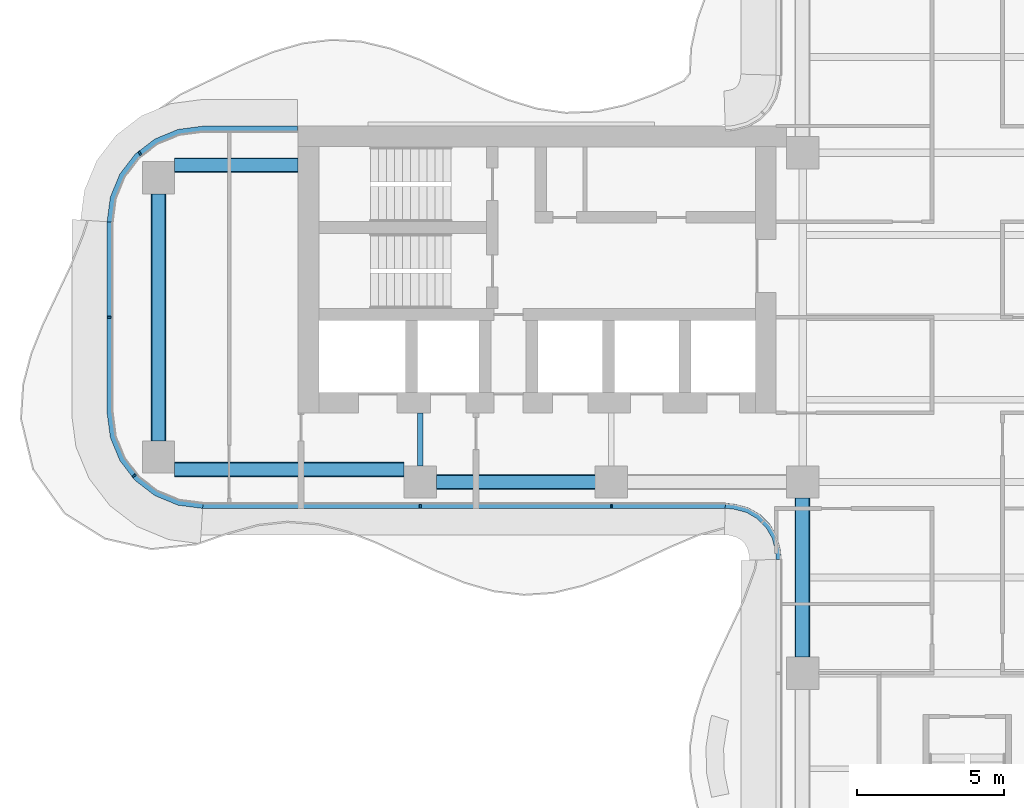
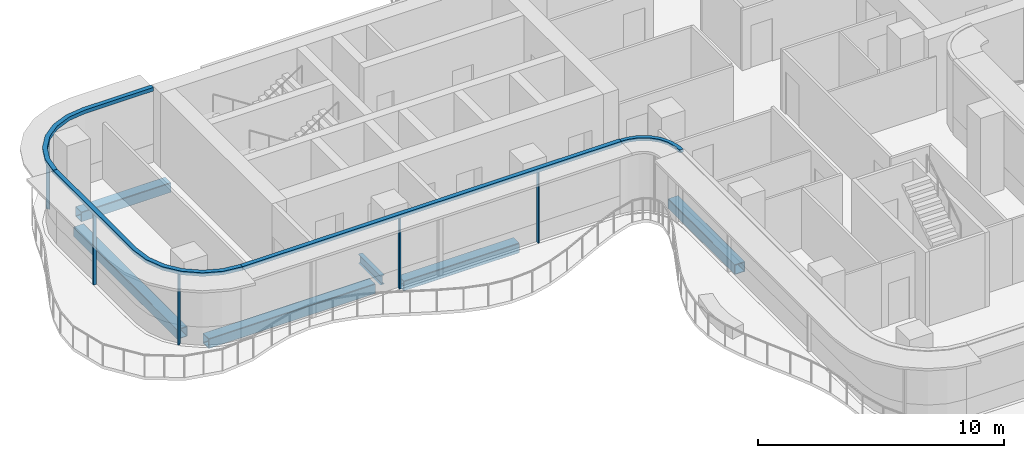
# One storey, part 3 of 17: 9 members, 6 beams, 4 elements without a shape of their own.
"""IFC4 building model written with IfcOpenShell, lengths in metres."""

from ifc_helpers import new_model, si_unit, direction, frame, origin, origin_2d, place, context, subcontext, project, spatial, polyline, rectangle, hollow_rectangle, i_section, outline, extrude, source, transform, mapped, material, layer, layer_set, material_profile, profile_set, type_object, element, aggregate, save


model = new_model("IFC4")

# Units and contexts
model_context = context("Model", 3, precision=1e-05, world=origin(), true_north=direction((0.0, 1.0)))
body_context = subcontext(model_context, "Body", "Model", "MODEL_VIEW")
ifc_project = project(units=[si_unit("LENGTHUNIT", "METRE"), si_unit("AREAUNIT", "SQUARE_METRE"), si_unit("VOLUMEUNIT", "CUBIC_METRE"), si_unit("PLANEANGLEUNIT", "RADIAN"), si_unit("MASSUNIT", "GRAM", prefix="KILO")], contexts=[model_context])

# Site, building, storey
site_placement = place(None, origin())
site = spatial("IfcSite", under=ifc_project, at=site_placement, CompositionType="ELEMENT")
building_placement = place(site_placement, origin())
building = spatial("IfcBuilding", under=site, at=building_placement, Name="Trellis Farm Tower", CompositionType="ELEMENT")
storey_placement = place(building_placement, frame((0.0, 0.0, 220.699951171875)))
storey = spatial("IfcBuildingStorey", under=building, at=storey_placement, Name="L48", CompositionType="ELEMENT", Elevation=220.699951171875)

# Beams
ifc_material_1 = material(Name="Steel S355", Category="steel")
ifc_material_profile_1 = material_profile(ifc_material_1, hollow_rectangle(XDim=0.5, YDim=0.5, WallThickness=0.030029296875, InnerFilletRadius=0.030029296875, OuterFilletRadius=0.044921875, at=origin_2d()), Name="SHS 500x500x30")
ifc_profile_set_1 = profile_set([ifc_material_profile_1], Name="Steel S355")
beam_type_1 = type_object("IfcBeamType", Name="SHS 500x500x30", PredefinedType="BEAM", material=ifc_profile_set_1)
shared_shape_1 = source(origin(), body_context, "Body", "SweptSolid", [
    extrude(hollow_rectangle(XDim=0.5, YDim=0.5, WallThickness=0.030029296875, InnerFilletRadius=0.030029296875, OuterFilletRadius=0.044921875, at=origin_2d()), origin(), (0.0, 0.0, 1.0), 5.400146484375),
])
for number, where, z_axis, x_axis, name in (
    (1, (-18.050048828125, -5.60009765625, -0.449951171875), (1.0, 0.0, 0.0), (0.0, 1.0, 0.0), "Girder"),
    (2, (-5.60009765625, -11.550048828125, -0.449951171875), (0.0, 1.0, 0.0), (-1.0, 0.0, 0.0), "Girder"),
):
    element("IfcBeam", number, at=place(storey_placement, frame(where, z_axis=z_axis, x_axis=x_axis)), inside=storey, type_object=beam_type_1, Name=name, PredefinedType="BEAM", context=body_context, shape_type="MappedRepresentation", body=[
        mapped(shared_shape_1, transform((0.0, 0.0, 0.0))),
    ])
shared_shape_2 = source(origin(), body_context, "Body", "SweptSolid", [
    extrude(hollow_rectangle(XDim=0.5, YDim=0.5, WallThickness=0.030029296875, InnerFilletRadius=0.030029296875, OuterFilletRadius=0.044921875, at=origin_2d()), origin(), (0.0, 0.0, 1.0), 8.39990234375),
])
beam_1_placement = place(storey_placement, frame((-27.5, -4.199951171875, -0.449951171875), z_axis=(0.0, 1.0, 0.0), x_axis=(-1.0, 0.0, 0.0)))
element("IfcBeam", 3, at=beam_1_placement, inside=storey, type_object=beam_type_1, Name="Girder", PredefinedType="BEAM", context=body_context, shape_type="MappedRepresentation", body=[
    mapped(shared_shape_2, transform((0.0, 0.0, 0.0))),
])
ifc_material_profile_2 = material_profile(ifc_material_1, i_section(OverallWidth=0.1904296875, OverallDepth=0.45703125, WebThickness=0.009033203125, FlangeThickness=0.014404296875, FilletRadius=0.01025390625, at=origin_2d()), Name="UB 457x191x74")
ifc_profile_set_2 = profile_set([ifc_material_profile_2], Name="Steel S355")
beam_type_2 = type_object("IfcBeamType", Name="UB 457x191x74", PredefinedType="BEAM", material=ifc_profile_set_2)
shared_shape_3 = source(origin(), body_context, "Body", "SweptSolid", [
    extrude(i_section(OverallWidth=0.1904296875, OverallDepth=0.45703125, WebThickness=0.009033203125, FlangeThickness=0.014404296875, FilletRadius=0.01025390625, at=origin_2d()), origin(), (0.0, 0.0, 1.0), 1.800048828125),
])
beam_2_placement = place(storey_placement, frame((-18.60009765625, -5.050048828125, -0.428466796875), z_axis=(0.0, 1.0, 0.0), x_axis=(-1.0, 0.0, 0.0)))
element("IfcBeam", 4, at=beam_2_placement, inside=storey, type_object=beam_type_2, Name="Girder", PredefinedType="BEAM", context=body_context, shape_type="MappedRepresentation", body=[
    mapped(shared_shape_3, transform((0.0, 0.0, 0.0))),
])
shared_shape_4 = source(origin(), body_context, "Body", "SweptSolid", [
    extrude(hollow_rectangle(XDim=0.5, YDim=0.5, WallThickness=0.030029296875, InnerFilletRadius=0.030029296875, OuterFilletRadius=0.044921875, at=origin_2d()), origin(), (0.0, 0.0, 1.0), 7.800048828125),
])
beam_3_placement = place(storey_placement, frame((-26.949951171875, -5.175048828125, -0.449951171875), z_axis=(1.0, 0.0, 0.0), x_axis=(0.0, 1.0, 0.0)))
element("IfcBeam", 5, at=beam_3_placement, inside=storey, type_object=beam_type_1, Name="Girder", PredefinedType="BEAM", context=body_context, shape_type="MappedRepresentation", body=[
    mapped(shared_shape_4, transform((0.0, 0.0, 0.0))),
])
shared_shape_5 = source(origin(), body_context, "Body", "SweptSolid", [
    extrude(hollow_rectangle(XDim=0.5, YDim=0.5, WallThickness=0.030029296875, InnerFilletRadius=0.030029296875, OuterFilletRadius=0.044921875, at=origin_2d()), origin(), (0.0, 0.0, 1.0), 4.199951171875),
])
beam_4_placement = place(storey_placement, frame((-26.949951171875, 5.175048828125, -0.449951171875), z_axis=(1.0, 0.0, 0.0), x_axis=(0.0, 1.0, 0.0)))
element("IfcBeam", 6, at=beam_4_placement, inside=storey, type_object=beam_type_1, Name="Girder", PredefinedType="BEAM", context=body_context, shape_type="MappedRepresentation", body=[
    mapped(shared_shape_5, transform((0.0, 0.0, 0.0))),
])

# Curtain wall, member
ifc_material_2 = material(Name="Aluminium and glass curtain wall", Category="aluminium")
ifc_layer_1 = layer(ifc_material_2, 0.166015625)
ifc_layer_set_1 = layer_set([ifc_layer_1], Name="WINTER GARDEN CURTAIN WALL CW3")
curtain_wall_type_1 = type_object("IfcCurtainWallType", Name="WINTER GARDEN CURTAIN WALL CW3", PredefinedType="NOTDEFINED", material=ifc_layer_set_1)
placement_1 = place(storey_placement, origin())
curtain_wall_1 = element("IfcCurtainWall", 7, at=placement_1, inside=storey, type_object=curtain_wall_type_1, Name="CW3 001", PredefinedType="NOTDEFINED")
ifc_material_3 = material(Name="Aluminium extrusion 6063-T6", Category="aluminium")
ifc_layer_2 = layer(ifc_material_3, 0.169921875)
ifc_layer_set_2 = layer_set([ifc_layer_2], Name="Aluminium extrusion 6063-T6")
member_type_1 = type_object("IfcMemberType", Name="CW3 TRANSOM 170x150", PredefinedType="USERDEFINED", material=ifc_layer_set_2)
shared_shape_6 = source(origin(), body_context, "Body", "SweptSolid", [
    extrude(outline(polyline([(-8.2314453125, -6.5), (-8.01953125, -6.513916015625), (-7.91552734375, -6.527587890625), (-7.508544921875, -6.63671875), (-7.144287109375, -6.846923828125), (-6.846923828125, -7.144287109375), (-6.63671875, -7.508544921875), (-6.527587890625, -7.91552734375), (-6.513916015625, -8.01953125), (-6.5, -8.2314453125), (-6.330078125, -8.225830078125), (-6.3447265625, -8.0029296875), (-6.360595703125, -7.88232421875), (-6.478271484375, -7.44287109375), (-6.7109375, -7.0400390625), (-7.0400390625, -6.7109375), (-7.44287109375, -6.478271484375), (-7.88232421875, -6.360595703125), (-8.0029296875, -6.3447265625), (-8.225830078125, -6.330078125), (-8.2314453125, -6.5)])), origin(), (0.0, 0.0, 1.0), 0.14990234375),
])
member_1_placement = place(storey_placement, frame((0.0, 0.0, 3.550048828125)))
member_1 = element("IfcMember", 8, at=member_1_placement, type_object=member_type_1, Name="TR3 001", ObjectType="TRANSOM", PredefinedType="USERDEFINED", context=body_context, shape_type="MappedRepresentation", body=[
    mapped(shared_shape_6, transform((0.0, 0.0, 0.0))),
])
aggregate(curtain_wall_1, [member_1])

# Curtain wall, members
ifc_layer_3 = layer(ifc_material_2, 0.18994140625)
ifc_layer_set_3 = layer_set([ifc_layer_3], Name="RIBBON CURTAIN WALL CW1")
curtain_wall_type_2 = type_object("IfcCurtainWallType", Name="RIBBON CURTAIN WALL CW1", PredefinedType="NOTDEFINED", material=ifc_layer_set_3)
curtain_wall_2 = element("IfcCurtainWall", 9, at=placement_1, inside=storey, type_object=curtain_wall_type_2, Name="CW1 001", PredefinedType="NOTDEFINED")
ifc_material_profile_3 = material_profile(ifc_material_3, rectangle(XDim=0.06005859375, YDim=0.14990234375, at=origin_2d()), Name="MULLION 60x150")
ifc_profile_set_3 = profile_set([ifc_material_profile_3], Name="Aluminium extrusion 6063-T6")
member_type_2 = type_object("IfcMemberType", Name="CW1 MULLION 60x150", PredefinedType="MULLION", material=ifc_profile_set_3)
shared_shape_7 = source(origin(), body_context, "Body", "SweptSolid", [
    extrude(rectangle(XDim=0.06005859375, YDim=0.14990234375, at=origin_2d()), origin(), (0.0, 0.0, 1.0), 3.52001953125),
])
member_2_placement = place(storey_placement, frame((-18.60009765625, -6.425048828125, 0.0), z_axis=(0.0, 0.0, 1.0), x_axis=(1.0, 0.0, 0.0)))
member_2 = element("IfcMember", 10, at=member_2_placement, type_object=member_type_2, Name="MU1 001-01", PredefinedType="MULLION", context=body_context, shape_type="MappedRepresentation", body=[
    mapped(shared_shape_7, transform((0.0, 0.0, 0.0))),
])
member_3_placement = place(storey_placement, frame((-12.10009765625, -6.425048828125, 0.0), z_axis=(0.0, 0.0, 1.0), x_axis=(1.0, 0.0, 0.0)))
member_3 = element("IfcMember", 11, at=member_3_placement, type_object=member_type_2, Name="MU1 001-02", PredefinedType="MULLION", context=body_context, shape_type="MappedRepresentation", body=[
    mapped(shared_shape_7, transform((0.0, 0.0, 0.0))),
])

# Curtain wall, member
curtain_wall_3 = element("IfcCurtainWall", 12, at=placement_1, inside=storey, type_object=curtain_wall_type_2, Name="CW1 013", PredefinedType="NOTDEFINED")
member_4_placement = place(storey_placement, frame((-28.135498046875, 5.578369140625, 0.0), z_axis=(0.0, 0.0, 1.0), x_axis=(-0.793353340291, -0.608761429009, 0.0)))
member_4 = element("IfcMember", 13, at=member_4_placement, type_object=member_type_2, Name="MU1 013-01", PredefinedType="MULLION", context=body_context, shape_type="MappedRepresentation", body=[
    mapped(shared_shape_7, transform((0.0, 0.0, 0.0))),
])

# Curtain wall, members
curtain_wall_4 = element("IfcCurtainWall", 14, at=placement_1, inside=storey, type_object=curtain_wall_type_2, Name="CW1 014", PredefinedType="NOTDEFINED")
member_5_placement = place(storey_placement, frame((-29.175048828125, 0.0, 0.0), z_axis=(0.0, 0.0, 1.0), x_axis=(0.0, -1.0, 0.0)))
member_5 = element("IfcMember", 15, at=member_5_placement, type_object=member_type_2, Name="MU1 014-01", PredefinedType="MULLION", context=body_context, shape_type="MappedRepresentation", body=[
    mapped(shared_shape_7, transform((0.0, 0.0, 0.0))),
])
member_6_placement = place(storey_placement, frame((-28.328369140625, -5.385498046875, 0.0), z_axis=(0.0, 0.0, 1.0), x_axis=(0.608761429009, -0.793353340291, 0.0)))
member_6 = element("IfcMember", 16, at=member_6_placement, type_object=member_type_2, Name="MU1 014-02", PredefinedType="MULLION", context=body_context, shape_type="MappedRepresentation", body=[
    mapped(shared_shape_7, transform((0.0, 0.0, 0.0))),
])

# Member
ifc_layer_4 = layer(ifc_material_3, 0.199951171875)
ifc_layer_set_4 = layer_set([ifc_layer_4], Name="Aluminium extrusion 6063-T6")
member_type_3 = type_object("IfcMemberType", Name="CW1 TRANSOM 200x180", PredefinedType="USERDEFINED", material=ifc_layer_set_4)
shared_shape_8 = source(origin(), body_context, "Body", "SweptSolid", [
    extrude(outline(polyline([(-26.0, -6.5), (-8.2314453125, -6.5), (-8.224853515625, -6.300048828125), (-25.98681640625, -6.300048828125), (-26.0, -6.5)])), origin(), (0.0, 0.0, 1.0), 0.179931640625),
])
placement_2 = place(storey_placement, frame((0.0, 0.0, 3.52001953125)))
member_7 = element("IfcMember", 17, at=placement_2, type_object=member_type_3, Name="TR1 001", ObjectType="TRANSOM", PredefinedType="USERDEFINED", context=body_context, shape_type="MappedRepresentation", body=[
    mapped(shared_shape_8, transform((0.0, 0.0, 0.0))),
])

aggregate(curtain_wall_2, [member_2, member_3, member_7])

shared_shape_9 = source(origin(), body_context, "Body", "SweptSolid", [
    extrude(outline(polyline([(-22.780029296875, 6.5), (-26.0, 6.5), (-26.841064453125, 6.38916015625), (-27.625, 6.064697265625), (-28.298095703125, 5.548095703125), (-28.814697265625, 4.875), (-29.13916015625, 4.091064453125), (-29.25, 3.25), (-29.050048828125, 3.23681640625), (-28.9443359375, 4.0390625), (-28.639892578125, 4.774169921875), (-28.155517578125, 5.405517578125), (-27.524169921875, 5.889892578125), (-26.7890625, 6.1943359375), (-25.98681640625, 6.300048828125), (-22.780029296875, 6.300048828125), (-22.780029296875, 6.5)])), origin(), (0.0, 0.0, 1.0), 0.179931640625),
])
member_8 = element("IfcMember", 18, at=placement_2, type_object=member_type_3, Name="TR1 013", ObjectType="TRANSOM", PredefinedType="USERDEFINED", context=body_context, shape_type="MappedRepresentation", body=[
    mapped(shared_shape_9, transform((0.0, 0.0, 0.0))),
])

aggregate(curtain_wall_3, [member_4, member_8])

shared_shape_10 = source(origin(), body_context, "Body", "SweptSolid", [
    extrude(outline(polyline([(-29.25, 3.25), (-29.25, -3.25), (-29.13916015625, -4.091064453125), (-28.814697265625, -4.875), (-28.298095703125, -5.548095703125), (-27.625, -6.064697265625), (-26.841064453125, -6.38916015625), (-26.0, -6.5), (-25.98681640625, -6.300048828125), (-26.7890625, -6.1943359375), (-27.524169921875, -5.889892578125), (-28.155517578125, -5.405517578125), (-28.639892578125, -4.774169921875), (-28.9443359375, -4.0390625), (-29.050048828125, -3.23681640625), (-29.050048828125, 3.23681640625), (-29.25, 3.25)])), origin(), (0.0, 0.0, 1.0), 0.179931640625),
])
member_9 = element("IfcMember", 19, at=placement_2, type_object=member_type_3, Name="TR1 014", ObjectType="TRANSOM", PredefinedType="USERDEFINED", context=body_context, shape_type="MappedRepresentation", body=[
    mapped(shared_shape_10, transform((0.0, 0.0, 0.0))),
])

aggregate(curtain_wall_4, [member_5, member_6, member_9])

save(model, "model.ifc")
